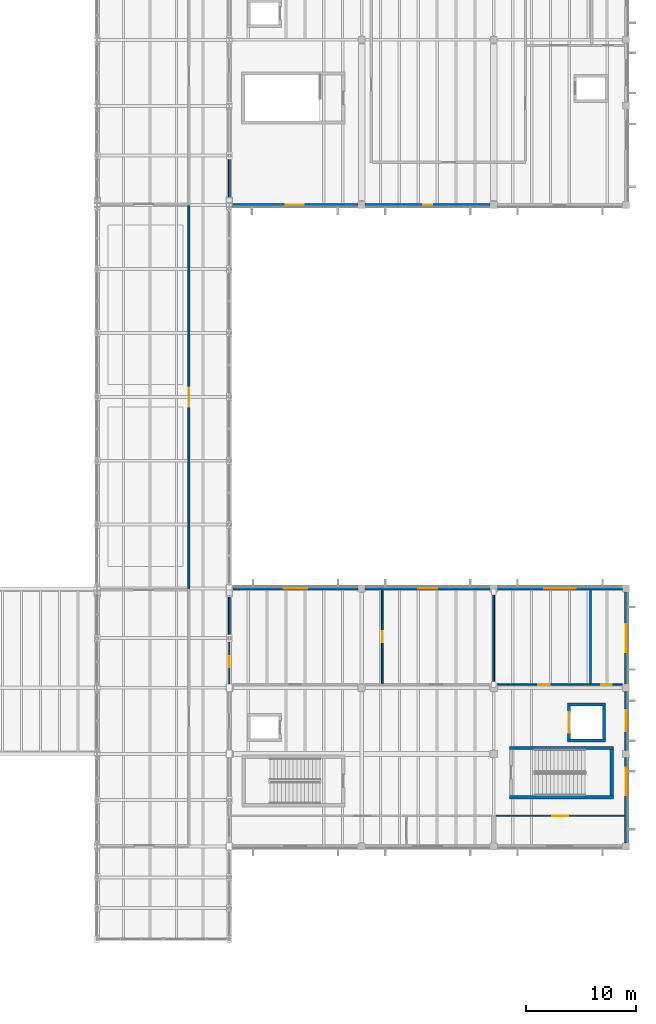
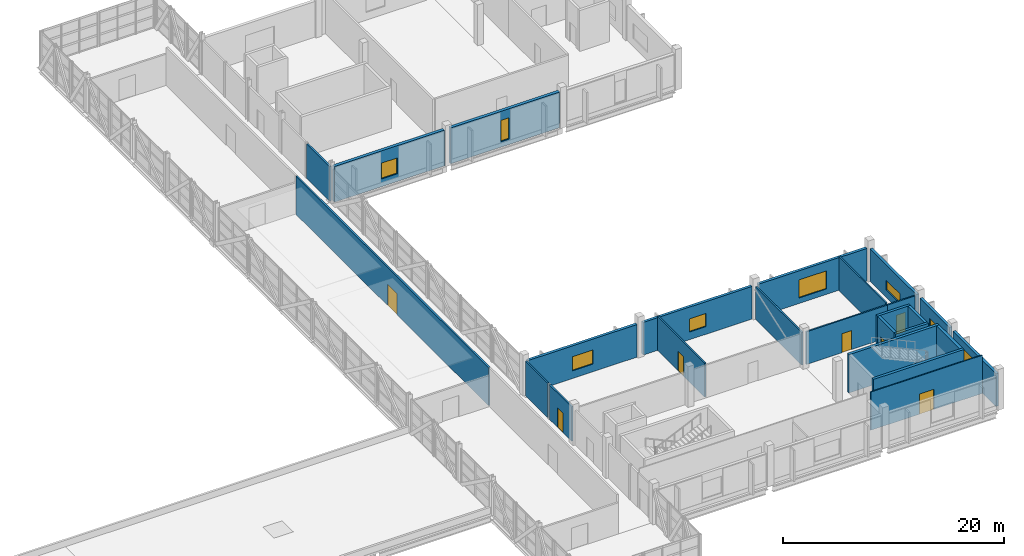
# One storey, part 49 of 63: 25 walls, 8 windows, 7 doors, 15 openings.
"""IFC4 building model written with IfcOpenShell, lengths in metres."""

from ifc_helpers import new_model, si_unit, direction, frame, frame_2d, origin, place, context, subcontext, project, spatial, rectangle, extrude, material, layer, layer_set, type_object, element, fill, save


model = new_model("IFC4")

# Units and contexts
model_context = context("Model", 3, precision=1e-05, world=origin(), true_north=direction((0.0, 1.0)))
body_context = subcontext(model_context, "Body", "Model", "MODEL_VIEW")
ifc_project = project(units=[si_unit("LENGTHUNIT", "METRE"), si_unit("AREAUNIT", "SQUARE_METRE"), si_unit("VOLUMEUNIT", "CUBIC_METRE"), si_unit("PLANEANGLEUNIT", "RADIAN"), si_unit("MASSUNIT", "GRAM", prefix="KILO")], contexts=[model_context])

# Site, building, storey
site_placement = place(None, origin())
site = spatial("IfcSite", under=ifc_project, at=site_placement, CompositionType="ELEMENT")
building_placement = place(site_placement, origin())
building = spatial("IfcBuilding", under=site, at=building_placement, Name="Kelmvaro Bay Concert Hall", CompositionType="ELEMENT")
storey_placement = place(building_placement, frame((0.0, 0.0, 13.800048828125)))
storey = spatial("IfcBuildingStorey", under=building, at=storey_placement, Name="L03", CompositionType="ELEMENT", Elevation=13.800048828125)

# Wall, opening, door
ifc_material_1 = material(Name="Acoustic Gypsum Board on Galvanised Steel Studs", Category="steel")
ifc_layer_1 = layer(ifc_material_1, 0.110107421875)
ifc_layer_set_1 = layer_set([ifc_layer_1], Name="Acoustic Gypsum Board on Galvanised Steel Studs")
wall_type_1 = type_object("IfcWallType", Name="Administration Demising Partition 110", PredefinedType="PARTITIONING", material=ifc_layer_set_1)
wall_1_placement = place(storey_placement, frame((156.199951171875, 18.3798828125, 0.0), z_axis=(0.0, 0.0, 1.0), x_axis=(1.0, 0.0, 0.0)))
wall_1 = element("IfcWall", 1, at=wall_1_placement, inside=storey, type_object=wall_type_1, Name="L03 Interior Partition PT-L03-0321", PredefinedType="PARTITIONING", context=body_context, shape_type="SweptSolid", body=[
    extrude(rectangle(XDim=11.650146484375, YDim=0.110107421875, at=frame_2d((5.8251953125, 0.0))), origin(), (0.0, 0.0, 1.0), 4.2099609375),
])
opening_1_placement = place(wall_1_placement, frame((5.0849609375, 0.0, 0.0)))
opening_1 = element("IfcOpeningElement", 2, at=opening_1_placement, cuts=wall_1, Name="Opening ID-AD2", PredefinedType="OPENING", context=body_context, shape_type="SweptSolid", body=[
    extrude(rectangle(XDim=1.47998046875, YDim=2.219970703125, at=frame_2d((0.739990234375, 1.10986328125))), frame((0.0, 0.06494140625, 0.0), z_axis=(0.0, -1.0, 0.0), x_axis=(1.0, 0.0, 0.0)), (0.0, 0.0, 1.0), 0.130126953125),
])
ifc_material_2 = material(Name="Anodised Aluminium and Glass", Category="aluminium")
door_type_1 = type_object("IfcDoorType", Name="Board Salon Double Glazed Door 1480x2220", OperationType="NOTDEFINED", PredefinedType="DOOR", material=ifc_material_2)
door_1_placement = place(opening_1_placement, origin())
door_1 = element("IfcDoor", 3, at=door_1_placement, inside=storey, type_object=door_type_1, Name="L03 Interior Door DR-INT-L03-0188", OperationType="DOUBLE_DOOR_SINGLE_SWING", OverallHeight=2.219970703125, OverallWidth=1.47998046875, PredefinedType="DOOR", context=body_context, shape_type="SweptSolid", body=[
    extrude(rectangle(XDim=1.47998046875, YDim=2.219970703125, at=frame_2d((0.739990234375, 1.10986328125))), frame((0.0, 0.02490234375, 0.0), z_axis=(0.0, -1.0, 0.0), x_axis=(1.0, 0.0, 0.0)), (0.0, 0.0, 1.0), 0.050048828125),
])
fill(opening_1, door_1)

# Wall, opening, window
ifc_material_3 = material(Name="Precast Concrete C40/50", Category="concrete")
ifc_layer_2 = layer(ifc_material_3, 0.320068359375)
ifc_layer_set_2 = layer_set([ifc_layer_2], Name="Precast Concrete C40/50")
wall_type_2 = type_object("IfcWallType", Name="Chamber Pavilion Precast Wall 320", PredefinedType="SOLIDWALL", material=ifc_layer_set_2)
wall_2_placement = place(storey_placement, frame((143.675048828125, 73.800048828125, 0.0), z_axis=(0.0, 0.0, 1.0), x_axis=(-1.0, 0.0, 0.0)))
wall_2 = element("IfcWall", 4, at=wall_2_placement, inside=storey, type_object=wall_type_2, Name="L03 Exterior Wall EW-L03-0147", PredefinedType="SOLIDWALL", context=body_context, shape_type="SweptSolid", body=[
    extrude(rectangle(XDim=11.474609375, YDim=0.320068359375, at=frame_2d((5.7373046875, 0.0))), origin(), (0.0, 0.0, 1.0), 3.94384765625),
])
opening_2_placement = place(wall_2_placement, frame((4.912353515625, 0.0, 0.85009765625)))
opening_2 = element("IfcOpeningElement", 5, at=opening_2_placement, cuts=wall_2, Name="Opening WN-12", PredefinedType="OPENING", context=body_context, shape_type="SweptSolid", body=[
    extrude(rectangle(XDim=1.64990234375, YDim=1.75, at=frame_2d((0.824951171875, 0.875))), frame((0.0, 0.169921875, 0.0), z_axis=(0.0, -1.0, 0.0), x_axis=(1.0, 0.0, 0.0)), (0.0, 0.0, 1.0), 0.340087890625),
])
ifc_material_4 = material(Name="Thermally Broken Aluminium and Acoustic Low-E Glass", Category="aluminium")
window_type_1 = type_object("IfcWindowType", Name="Administration View Window 1650x1750", PartitioningType="SINGLE_PANEL", PredefinedType="WINDOW", material=ifc_material_4)
window_1_placement = place(opening_2_placement, origin())
window_1 = element("IfcWindow", 6, at=window_1_placement, inside=storey, type_object=window_type_1, Name="L03 Facade Window WN-L03-0067", OverallHeight=1.75, OverallWidth=1.64990234375, PartitioningType="SINGLE_PANEL", PredefinedType="WINDOW", context=body_context, shape_type="SweptSolid", body=[
    extrude(rectangle(XDim=1.64990234375, YDim=1.75, at=frame_2d((0.824951171875, 0.875))), frame((0.0, 0.030029296875, 0.0), z_axis=(0.0, -1.0, 0.0), x_axis=(1.0, 0.0, 0.0)), (0.0, 0.0, 1.0), 0.06005859375),
])
fill(opening_2, window_1)

wall_3_placement = place(storey_placement, frame((155.675048828125, 73.800048828125, 0.0), z_axis=(0.0, 0.0, 1.0), x_axis=(-1.0, 0.0, 0.0)))
wall_3 = element("IfcWall", 7, at=wall_3_placement, inside=storey, type_object=wall_type_2, Name="L03 Exterior Wall EW-L03-0148", PredefinedType="SOLIDWALL", context=body_context, shape_type="SweptSolid", body=[
    extrude(rectangle(XDim=11.35009765625, YDim=0.320068359375, at=frame_2d((5.675048828125, 0.0))), origin(), (0.0, 0.0, 1.0), 3.94384765625),
])
opening_3_placement = place(wall_3_placement, frame((5.25, 0.0, 0.60009765625)))
opening_3 = element("IfcOpeningElement", 8, at=opening_3_placement, cuts=wall_3, Name="Opening WN-13", PredefinedType="OPENING", context=body_context, shape_type="SweptSolid", body=[
    extrude(rectangle(XDim=0.85009765625, YDim=2.35009765625, at=frame_2d((0.425048828125, 1.175048828125))), frame((0.0, 0.169921875, 0.0), z_axis=(0.0, -1.0, 0.0), x_axis=(1.0, 0.0, 0.0)), (0.0, 0.0, 1.0), 0.340087890625),
])
ifc_material_5 = material(Name="Thermally Broken Aluminium and Acoustic Low-E Glass", Category="aluminium")
window_type_2 = type_object("IfcWindowType", Name="Salon Vertical Slot Window 850x2350", PartitioningType="SINGLE_PANEL", PredefinedType="WINDOW", material=ifc_material_5)
window_2_placement = place(opening_3_placement, origin())
window_2 = element("IfcWindow", 9, at=window_2_placement, inside=storey, type_object=window_type_2, Name="L03 Facade Window WN-L03-0068", OverallHeight=2.35009765625, OverallWidth=0.85009765625, PartitioningType="SINGLE_PANEL", PredefinedType="WINDOW", context=body_context, shape_type="SweptSolid", body=[
    extrude(rectangle(XDim=0.85009765625, YDim=2.35009765625, at=frame_2d((0.425048828125, 1.175048828125))), frame((0.0, 0.030029296875, 0.0), z_axis=(0.0, -1.0, 0.0), x_axis=(1.0, 0.0, 0.0)), (0.0, 0.0, 1.0), 0.06005859375),
])
fill(opening_3, window_2)

# Wall
ifc_material_6 = material(Name="Acoustic Gypsum Board on Galvanised Steel Studs", Category="steel")
ifc_layer_3 = layer(ifc_material_6, 0.169921875)
ifc_layer_set_3 = layer_set([ifc_layer_3], Name="Acoustic Gypsum Board on Galvanised Steel Studs")
wall_type_3 = type_object("IfcWallType", Name="Corridor Fire Compartment Partition 170", PredefinedType="PARTITIONING", material=ifc_layer_set_3)
wall_4_placement = place(storey_placement, frame((132.0, 74.0048828125, 0.0), z_axis=(0.0, 0.0, 1.0), x_axis=(0.0, 1.0, 0.0)))
element("IfcWall", 10, at=wall_4_placement, inside=storey, type_object=wall_type_3, Name="L03 Interior Partition PT-L03-0298", PredefinedType="PARTITIONING", context=body_context, shape_type="SweptSolid", body=[
    extrude(rectangle(XDim=4.147216796875, YDim=0.169921875, at=frame_2d((2.07373046875, 0.0))), origin(), (0.0, 0.0, 1.0), 3.801025390625),
])

# Wall, opening, window
ifc_material_7 = material(Name="Precast Concrete C40/50", Category="concrete")
ifc_layer_4 = layer(ifc_material_7, 0.280029296875)
ifc_layer_set_4 = layer_set([ifc_layer_4], Name="Precast Concrete C40/50")
wall_type_4 = type_object("IfcWallType", Name="Percussion Pavilion Precast Wall 280", PredefinedType="SOLIDWALL", material=ifc_layer_set_4)
wall_5_placement = place(storey_placement, frame((132.324951171875, 39.0, 0.0), z_axis=(0.0, 0.0, 1.0), x_axis=(1.0, 0.0, 0.0)))
wall_5 = element("IfcWall", 11, at=wall_5_placement, inside=storey, type_object=wall_type_4, Name="L03 Exterior Wall EW-L03-0235", PredefinedType="SOLIDWALL", context=body_context, shape_type="SweptSolid", body=[
    extrude(rectangle(XDim=11.35009765625, YDim=0.280029296875, at=frame_2d((5.675048828125, 0.0))), origin(), (0.0, 0.0, 1.0), 3.598876953125),
])
opening_4_placement = place(wall_5_placement, frame((4.60009765625, 0.0, 0.85009765625)))
opening_4 = element("IfcOpeningElement", 12, at=opening_4_placement, cuts=wall_5, Name="Opening WN-19", PredefinedType="OPENING", context=body_context, shape_type="SweptSolid", body=[
    extrude(rectangle(XDim=2.14990234375, YDim=1.550048828125, at=frame_2d((1.074951171875, 0.77490234375))), frame((0.0, 0.14990234375, 0.0), z_axis=(0.0, -1.0, 0.0), x_axis=(1.0, 0.0, 0.0)), (0.0, 0.0, 1.0), 0.300048828125),
])
ifc_material_8 = material(Name="Thermally Broken Aluminium and Acoustic Low-E Glass", Category="aluminium")
window_type_3 = type_object("IfcWindowType", Name="Soundtrack Studio Window 2150x1550", PartitioningType="SINGLE_PANEL", PredefinedType="WINDOW", material=ifc_material_8)
window_3_placement = place(opening_4_placement, origin())
window_3 = element("IfcWindow", 13, at=window_3_placement, inside=storey, type_object=window_type_3, Name="L03 Facade Window WN-L03-0126", OverallHeight=1.550048828125, OverallWidth=2.14990234375, PartitioningType="SINGLE_PANEL", PredefinedType="WINDOW", context=body_context, shape_type="SweptSolid", body=[
    extrude(rectangle(XDim=2.14990234375, YDim=1.550048828125, at=frame_2d((1.074951171875, 0.77490234375))), frame((0.0, 0.030029296875, 0.0), z_axis=(0.0, -1.0, 0.0), x_axis=(1.0, 0.0, 0.0)), (0.0, 0.0, 1.0), 0.06005859375),
])
fill(opening_4, window_3)

wall_6_placement = place(storey_placement, frame((144.324951171875, 39.0, 0.0), z_axis=(0.0, 0.0, 1.0), x_axis=(1.0, 0.0, 0.0)))
wall_6 = element("IfcWall", 14, at=wall_6_placement, inside=storey, type_object=wall_type_4, Name="L03 Exterior Wall EW-L03-0236", PredefinedType="SOLIDWALL", context=body_context, shape_type="SweptSolid", body=[
    extrude(rectangle(XDim=11.35009765625, YDim=0.280029296875, at=frame_2d((5.675048828125, 0.0))), origin(), (0.0, 0.0, 1.0), 3.598876953125),
])
opening_5_placement = place(wall_6_placement, frame((4.800048828125, 0.0, 0.85009765625)))
opening_5 = element("IfcOpeningElement", 15, at=opening_5_placement, cuts=wall_6, Name="Opening WN-20", PredefinedType="OPENING", context=body_context, shape_type="SweptSolid", body=[
    extrude(rectangle(XDim=1.75, YDim=1.449951171875, at=frame_2d((0.875, 0.72509765625))), frame((0.0, 0.14990234375, 0.0), z_axis=(0.0, -1.0, 0.0), x_axis=(1.0, 0.0, 0.0)), (0.0, 0.0, 1.0), 0.300048828125),
])
ifc_material_9 = material(Name="Thermally Broken Aluminium and Acoustic Low-E Glass", Category="aluminium")
window_type_4 = type_object("IfcWindowType", Name="Media Edit Suite Window 1750x1450", PartitioningType="SINGLE_PANEL", PredefinedType="WINDOW", material=ifc_material_9)
window_4_placement = place(opening_5_placement, origin())
window_4 = element("IfcWindow", 16, at=window_4_placement, inside=storey, type_object=window_type_4, Name="L03 Facade Window WN-L03-0127", OverallHeight=1.449951171875, OverallWidth=1.75, PartitioningType="SINGLE_PANEL", PredefinedType="WINDOW", context=body_context, shape_type="SweptSolid", body=[
    extrude(rectangle(XDim=1.75, YDim=1.449951171875, at=frame_2d((0.875, 0.72509765625))), frame((0.0, 0.030029296875, 0.0), z_axis=(0.0, -1.0, 0.0), x_axis=(1.0, 0.0, 0.0)), (0.0, 0.0, 1.0), 0.06005859375),
])
fill(opening_5, window_4)

wall_7_placement = place(storey_placement, frame((156.324951171875, 39.0, 0.0), z_axis=(0.0, 0.0, 1.0), x_axis=(1.0, 0.0, 0.0)))
wall_7 = element("IfcWall", 17, at=wall_7_placement, inside=storey, type_object=wall_type_4, Name="L03 Exterior Wall EW-L03-0237", PredefinedType="SOLIDWALL", context=body_context, shape_type="SweptSolid", body=[
    extrude(rectangle(XDim=11.35009765625, YDim=0.280029296875, at=frame_2d((5.675048828125, 0.0))), origin(), (0.0, 0.0, 1.0), 3.598876953125),
])
opening_6_placement = place(wall_7_placement, frame((4.25, 0.0, 0.60009765625)))
opening_6 = element("IfcOpeningElement", 18, at=opening_6_placement, cuts=wall_7, Name="Opening WN-21", PredefinedType="OPENING", context=body_context, shape_type="SweptSolid", body=[
    extrude(rectangle(XDim=2.85009765625, YDim=2.0, at=frame_2d((1.425048828125, 1.0))), frame((0.0, 0.14990234375, 0.0), z_axis=(0.0, -1.0, 0.0), x_axis=(1.0, 0.0, 0.0)), (0.0, 0.0, 1.0), 0.300048828125),
])
ifc_material_10 = material(Name="Thermally Broken Aluminium and Acoustic Low-E Glass", Category="aluminium")
window_type_5 = type_object("IfcWindowType", Name="Board Salon Waterfront Window 2850x2000", PartitioningType="SINGLE_PANEL", PredefinedType="WINDOW", material=ifc_material_10)
window_5_placement = place(opening_6_placement, origin())
window_5 = element("IfcWindow", 19, at=window_5_placement, inside=storey, type_object=window_type_5, Name="L03 Facade Window WN-L03-0128", OverallHeight=2.0, OverallWidth=2.85009765625, PartitioningType="SINGLE_PANEL", PredefinedType="WINDOW", context=body_context, shape_type="SweptSolid", body=[
    extrude(rectangle(XDim=2.85009765625, YDim=2.0, at=frame_2d((1.425048828125, 1.0))), frame((0.0, 0.030029296875, 0.0), z_axis=(0.0, -1.0, 0.0), x_axis=(1.0, 0.0, 0.0)), (0.0, 0.0, 1.0), 0.06005859375),
])
fill(opening_6, window_5)

wall_8_placement = place(storey_placement, frame((168.0, 23.675048828125, 0.0), z_axis=(0.0, 0.0, 1.0), x_axis=(0.0, -1.0, 0.0)))
wall_8 = element("IfcWall", 20, at=wall_8_placement, inside=storey, type_object=wall_type_4, Name="L03 Exterior Wall EW-L03-0238", PredefinedType="SOLIDWALL", context=body_context, shape_type="SweptSolid", body=[
    extrude(rectangle(XDim=7.75, YDim=0.280029296875, at=frame_2d((3.875, 0.0))), origin(), (0.0, 0.0, 1.0), 3.597900390625),
])
opening_7_placement = place(wall_8_placement, frame((0.919921875, 0.0, 0.85009765625)))
opening_7 = element("IfcOpeningElement", 21, at=opening_7_placement, cuts=wall_8, Name="Opening WN-22", PredefinedType="OPENING", context=body_context, shape_type="SweptSolid", body=[
    extrude(rectangle(XDim=2.5, YDim=1.89990234375, at=frame_2d((1.25, 0.949951171875))), frame((0.0, 0.14990234375, 0.0), z_axis=(0.0, -1.0, 0.0), x_axis=(1.0, 0.0, 0.0)), (0.0, 0.0, 1.0), 0.300048828125),
])
ifc_material_11 = material(Name="Thermally Broken Aluminium and Acoustic Low-E Glass", Category="aluminium")
window_type_6 = type_object("IfcWindowType", Name="Conductor Suite Bay Window 2500x1900", PartitioningType="SINGLE_PANEL", PredefinedType="WINDOW", material=ifc_material_11)
window_6_placement = place(opening_7_placement, origin())
window_6 = element("IfcWindow", 22, at=window_6_placement, inside=storey, type_object=window_type_6, Name="L03 Facade Window WN-L03-0129", OverallHeight=1.89990234375, OverallWidth=2.5, PartitioningType="SINGLE_PANEL", PredefinedType="WINDOW", context=body_context, shape_type="SweptSolid", body=[
    extrude(rectangle(XDim=2.5, YDim=1.89990234375, at=frame_2d((1.25, 0.949951171875))), frame((0.0, 0.030029296875, 0.0), z_axis=(0.0, -1.0, 0.0), x_axis=(1.0, 0.0, 0.0)), (0.0, 0.0, 1.0), 0.06005859375),
])
fill(opening_7, window_6)

wall_9_placement = place(storey_placement, frame((168.0, 29.675048828125, 0.0), z_axis=(0.0, 0.0, 1.0), x_axis=(0.0, -1.0, 0.0)))
wall_9 = element("IfcWall", 23, at=wall_9_placement, inside=storey, type_object=wall_type_4, Name="L03 Exterior Wall EW-L03-0239", PredefinedType="SOLIDWALL", context=body_context, shape_type="SweptSolid", body=[
    extrude(rectangle(XDim=5.35009765625, YDim=0.280029296875, at=frame_2d((2.675048828125, 0.0))), origin(), (0.0, 0.0, 1.0), 3.597900390625),
])
opening_8_placement = place(wall_9_placement, frame((1.72509765625, 0.0, 0.85009765625)))
opening_8 = element("IfcOpeningElement", 24, at=opening_8_placement, cuts=wall_9, Name="Opening WN-23", PredefinedType="OPENING", context=body_context, shape_type="SweptSolid", body=[
    extrude(rectangle(XDim=1.89990234375, YDim=1.60009765625, at=frame_2d((0.949951171875, 0.800048828125))), frame((0.0, 0.14990234375, 0.0), z_axis=(0.0, -1.0, 0.0), x_axis=(1.0, 0.0, 0.0)), (0.0, 0.0, 1.0), 0.300048828125),
])
ifc_material_12 = material(Name="Thermally Broken Aluminium and Acoustic Low-E Glass", Category="aluminium")
window_type_7 = type_object("IfcWindowType", Name="Chorus Studio Daylight Window 1900x1600", PartitioningType="SINGLE_PANEL", PredefinedType="WINDOW", material=ifc_material_12)
window_7_placement = place(opening_8_placement, origin())
window_7 = element("IfcWindow", 25, at=window_7_placement, inside=storey, type_object=window_type_7, Name="L03 Facade Window WN-L03-0130", OverallHeight=1.60009765625, OverallWidth=1.89990234375, PartitioningType="SINGLE_PANEL", PredefinedType="WINDOW", context=body_context, shape_type="SweptSolid", body=[
    extrude(rectangle(XDim=1.89990234375, YDim=1.60009765625, at=frame_2d((0.949951171875, 0.800048828125))), frame((0.0, 0.030029296875, 0.0), z_axis=(0.0, -1.0, 0.0), x_axis=(1.0, 0.0, 0.0)), (0.0, 0.0, 1.0), 0.06005859375),
])
fill(opening_8, window_7)

wall_10_placement = place(storey_placement, frame((168.0, 38.675048828125, 0.0), z_axis=(0.0, 0.0, 1.0), x_axis=(0.0, -1.0, 0.0)))
wall_10 = element("IfcWall", 26, at=wall_10_placement, inside=storey, type_object=wall_type_4, Name="L03 Exterior Wall EW-L03-0240", PredefinedType="SOLIDWALL", context=body_context, shape_type="SweptSolid", body=[
    extrude(rectangle(XDim=8.35009765625, YDim=0.280029296875, at=frame_2d((4.175048828125, 0.0))), origin(), (0.0, 0.0, 1.0), 3.598876953125),
])
opening_9_placement = place(wall_10_placement, frame((2.89990234375, 0.0, 0.85009765625)))
opening_9 = element("IfcOpeningElement", 27, at=opening_9_placement, cuts=wall_10, Name="Opening WN-24", PredefinedType="OPENING", context=body_context, shape_type="SweptSolid", body=[
    extrude(rectangle(XDim=2.550048828125, YDim=1.050048828125, at=frame_2d((1.27490234375, 0.52490234375))), frame((0.0, 0.14990234375, 0.0), z_axis=(0.0, -1.0, 0.0), x_axis=(1.0, 0.0, 0.0)), (0.0, 0.0, 1.0), 0.300048828125),
])
ifc_material_13 = material(Name="Thermally Broken Aluminium and Acoustic Low-E Glass", Category="aluminium")
window_type_8 = type_object("IfcWindowType", Name="Percussion High Clerestory 2550x1050", PartitioningType="SINGLE_PANEL", PredefinedType="WINDOW", material=ifc_material_13)
window_8_placement = place(opening_9_placement, origin())
window_8 = element("IfcWindow", 28, at=window_8_placement, inside=storey, type_object=window_type_8, Name="L03 Facade Window WN-L03-0131", OverallHeight=1.050048828125, OverallWidth=2.550048828125, PartitioningType="SINGLE_PANEL", PredefinedType="WINDOW", context=body_context, shape_type="SweptSolid", body=[
    extrude(rectangle(XDim=2.550048828125, YDim=1.050048828125, at=frame_2d((1.27490234375, 0.52490234375))), frame((0.0, 0.030029296875, 0.0), z_axis=(0.0, -1.0, 0.0), x_axis=(1.0, 0.0, 0.0)), (0.0, 0.0, 1.0), 0.06005859375),
])
fill(opening_9, window_8)

# Wall, opening, door
ifc_material_14 = material(Name="Acoustic Gypsum Board on Galvanised Steel Studs", Category="steel")
ifc_layer_5 = layer(ifc_material_14, 0.159912109375)
ifc_layer_set_5 = layer_set([ifc_layer_5], Name="Acoustic Gypsum Board on Galvanised Steel Studs")
wall_type_5 = type_object("IfcWallType", Name="Practice Room Acoustic Partition 160", PredefinedType="PARTITIONING", material=ifc_layer_set_5)
wall_11_placement = place(storey_placement, frame((132.0, 30.3330078125, 0.0), z_axis=(0.0, 0.0, 1.0), x_axis=(0.0, 1.0, 0.0)))
wall_11 = element("IfcWall", 29, at=wall_11_placement, inside=storey, type_object=wall_type_5, Name="L03 Interior Partition PT-L03-0307", PredefinedType="PARTITIONING", context=body_context, shape_type="SweptSolid", body=[
    extrude(rectangle(XDim=4.01904296875, YDim=0.159912109375, at=frame_2d((2.009521484375, 0.0))), origin(), (0.0, 0.0, 1.0), 3.801025390625),
])
opening_10_placement = place(wall_11_placement, frame((1.509521484375, 0.0, 0.0)))
opening_10 = element("IfcOpeningElement", 30, at=opening_10_placement, cuts=wall_11, Name="Opening ID-PR1", PredefinedType="OPENING", context=body_context, shape_type="SweptSolid", body=[
    extrude(rectangle(XDim=1.0, YDim=2.159912109375, at=frame_2d((0.5, 1.080078125))), frame((0.0, 0.08984375, 0.0), z_axis=(0.0, -1.0, 0.0), x_axis=(1.0, 0.0, 0.0)), (0.0, 0.0, 1.0), 0.179931640625),
])
ifc_material_15 = material(Name="Solid White Oak Acoustic Leaf")
door_type_2 = type_object("IfcDoorType", Name="Practice Studio Acoustic Door 1000x2160", OperationType="NOTDEFINED", PredefinedType="DOOR", material=ifc_material_15)
door_2_placement = place(opening_10_placement, origin())
door_2 = element("IfcDoor", 31, at=door_2_placement, inside=storey, type_object=door_type_2, Name="L03 Interior Door DR-INT-L03-0178", OperationType="SINGLE_SWING_RIGHT", OverallHeight=2.159912109375, OverallWidth=1.0, PredefinedType="DOOR", context=body_context, shape_type="SweptSolid", body=[
    extrude(rectangle(XDim=1.0, YDim=2.159912109375, at=frame_2d((0.5, 1.080078125))), frame((0.0, 0.02490234375, 0.0), z_axis=(0.0, -1.0, 0.0), x_axis=(1.0, 0.0, 0.0)), (0.0, 0.0, 1.0), 0.050048828125),
])
fill(opening_10, door_2)

# Wall
wall_12_placement = place(storey_placement, frame((132.0, 34.64794921875, 0.0), z_axis=(0.0, 0.0, 1.0), x_axis=(0.0, 1.0, 0.0)))
element("IfcWall", 32, at=wall_12_placement, inside=storey, type_object=wall_type_5, Name="L03 Interior Partition PT-L03-0308", PredefinedType="PARTITIONING", context=body_context, shape_type="SweptSolid", body=[
    extrude(rectangle(XDim=4.01904296875, YDim=0.159912109375, at=frame_2d((2.009521484375, 0.0))), origin(), (0.0, 0.0, 1.0), 3.801025390625),
])

# Wall, opening, door
wall_13_placement = place(storey_placement, frame((145.8798828125, 30.3701171875, 0.0), z_axis=(0.0, 0.0, 1.0), x_axis=(0.0, 1.0, 0.0)))
wall_13 = element("IfcWall", 33, at=wall_13_placement, inside=storey, type_object=wall_type_5, Name="L03 Interior Partition PT-L03-0328", PredefinedType="PARTITIONING", context=body_context, shape_type="SweptSolid", body=[
    extrude(rectangle(XDim=8.47998046875, YDim=0.159912109375, at=frame_2d((4.239990234375, 0.0))), origin(), (0.0, 0.0, 1.0), 3.7529296875),
])
opening_11_placement = place(wall_13_placement, frame((3.739990234375, 0.0, 0.0)))
opening_11 = element("IfcOpeningElement", 34, at=opening_11_placement, cuts=wall_13, Name="Opening ID-PR1", PredefinedType="OPENING", context=body_context, shape_type="SweptSolid", body=[
    extrude(rectangle(XDim=1.0, YDim=2.159912109375, at=frame_2d((0.5, 1.080078125))), frame((0.0, 0.08984375, 0.0), z_axis=(0.0, -1.0, 0.0), x_axis=(1.0, 0.0, 0.0)), (0.0, 0.0, 1.0), 0.179931640625),
])
door_3_placement = place(opening_11_placement, origin())
door_3 = element("IfcDoor", 35, at=door_3_placement, inside=storey, type_object=door_type_2, Name="L03 Interior Door DR-INT-L03-0194", OperationType="SINGLE_SWING_RIGHT", OverallHeight=2.159912109375, OverallWidth=1.0, PredefinedType="DOOR", context=body_context, shape_type="SweptSolid", body=[
    extrude(rectangle(XDim=1.0, YDim=2.159912109375, at=frame_2d((0.5, 1.080078125))), frame((0.0, 0.02490234375, 0.0), z_axis=(0.0, -1.0, 0.0), x_axis=(1.0, 0.0, 0.0)), (0.0, 0.0, 1.0), 0.050048828125),
])
fill(opening_11, door_3)

# Wall
wall_14_placement = place(storey_placement, frame((156.0, 30.3330078125, 0.0), z_axis=(0.0, 0.0, 1.0), x_axis=(0.0, 1.0, 0.0)))
element("IfcWall", 36, at=wall_14_placement, inside=storey, type_object=wall_type_5, Name="L03 Interior Partition PT-L03-0329", PredefinedType="PARTITIONING", context=body_context, shape_type="SweptSolid", body=[
    extrude(rectangle(XDim=8.333984375, YDim=0.159912109375, at=frame_2d((4.1669921875, 0.0))), origin(), (0.0, 0.0, 1.0), 3.598876953125),
])

# Wall, opening, door
ifc_material_16 = material(Name="Acoustic Gypsum Board on Galvanised Steel Studs", Category="steel")
ifc_layer_6 = layer(ifc_material_16, 0.179931640625)
ifc_layer_set_6 = layer_set([ifc_layer_6], Name="Acoustic Gypsum Board on Galvanised Steel Studs")
wall_type_6 = type_object("IfcWallType", Name="Rehearsal Suite Acoustic Partition 180", PredefinedType="PARTITIONING", material=ifc_layer_set_6)
wall_15_placement = place(storey_placement, frame((128.320068359375, 38.949951171875, 0.0), z_axis=(0.0, 0.0, 1.0), x_axis=(0.0, 1.0, 0.0)))
wall_15 = element("IfcWall", 37, at=wall_15_placement, inside=storey, type_object=wall_type_6, Name="L03 Interior Partition PT-L03-0296", PredefinedType="PARTITIONING", context=body_context, shape_type="SweptSolid", body=[
    extrude(rectangle(XDim=34.800048828125, YDim=0.179931640625, at=frame_2d((17.39990234375, 0.0))), origin(), (0.0, 0.0, 1.0), 4.199951171875),
])
opening_12_placement = place(wall_15_placement, frame((16.5400390625, 0.0, 0.0)))
opening_12 = element("IfcOpeningElement", 38, at=opening_12_placement, cuts=wall_15, Name="Opening ID-AC4", PredefinedType="OPENING", context=body_context, shape_type="SweptSolid", body=[
    extrude(rectangle(XDim=1.719970703125, YDim=2.340087890625, at=frame_2d((0.85986328125, 1.169921875))), frame((0.0, 0.099853515625, 0.0), z_axis=(0.0, -1.0, 0.0), x_axis=(1.0, 0.0, 0.0)), (0.0, 0.0, 1.0), 0.199951171875),
])
ifc_material_17 = material(Name="Solid White Oak Acoustic Leaf")
door_type_3 = type_object("IfcDoorType", Name="Rehearsal Hall Acoustic Pair Door 1720x2340", OperationType="NOTDEFINED", PredefinedType="DOOR", material=ifc_material_17)
door_4_placement = place(opening_12_placement, origin())
door_4 = element("IfcDoor", 39, at=door_4_placement, inside=storey, type_object=door_type_3, Name="L03 Interior Door DR-INT-L03-0173", OperationType="DOUBLE_DOOR_SINGLE_SWING", OverallHeight=2.340087890625, OverallWidth=1.719970703125, PredefinedType="DOOR", context=body_context, shape_type="SweptSolid", body=[
    extrude(rectangle(XDim=1.719970703125, YDim=2.340087890625, at=frame_2d((0.85986328125, 1.169921875))), frame((0.0, 0.02490234375, 0.0), z_axis=(0.0, -1.0, 0.0), x_axis=(1.0, 0.0, 0.0)), (0.0, 0.0, 1.0), 0.050048828125),
])
fill(opening_12, door_4)

# Walls
ifc_material_18 = material(Name="Concrete C40/50", Category="concrete")
ifc_layer_7 = layer(ifc_material_18, 0.27001953125)
ifc_layer_set_7 = layer_set([ifc_layer_7], Name="Concrete C40/50")
wall_type_7 = type_object("IfcWallType", Name="Secondary Shaft Shear Wall 270", PredefinedType="SHEAR", material=ifc_layer_set_7)
for number, where, z_axis, x_axis, name in (
    (40, (162.679931640625, 25.215087890625, 0.0), (0.0, 0.0, 1.0), (1.0, 0.0, 0.0), "L03 LF-08 Lift Shaft Wall S"),
    (41, (162.679931640625, 28.485107421875, 0.0), (0.0, 0.0, 1.0), (1.0, 0.0, 0.0), "L03 LF-08 Lift Shaft Wall N"),
):
    element("IfcWall", number, at=place(storey_placement, frame(where, z_axis=z_axis, x_axis=x_axis)), inside=storey, type_object=wall_type_7, Name=name, PredefinedType="SHEAR", context=body_context, shape_type="SweptSolid", body=[
        extrude(rectangle(XDim=3.440185546875, YDim=0.27001953125, at=frame_2d((1.72021484375, 0.0))), origin(), (0.0, 0.0, 1.0), 4.22998046875),
    ])

# Wall, opening, door
wall_16_placement = place(storey_placement, frame((162.81494140625, 25.35009765625, 0.0), z_axis=(0.0, 0.0, 1.0), x_axis=(0.0, 1.0, 0.0)))
wall_16 = element("IfcWall", 42, at=wall_16_placement, inside=storey, type_object=wall_type_7, Name="L03 LF-08 Lift Shaft Wall W", PredefinedType="SHEAR", context=body_context, shape_type="SweptSolid", body=[
    extrude(rectangle(XDim=3.0, YDim=0.27001953125, at=frame_2d((1.5, 0.0))), origin(), (0.0, 0.0, 1.0), 4.22998046875),
])
opening_13_placement = place(wall_16_placement, frame((0.574951171875, 0.0, 0.0)))
opening_13 = element("IfcOpeningElement", 43, at=opening_13_placement, cuts=wall_16, Name="Opening LD-185", PredefinedType="OPENING", context=body_context, shape_type="SweptSolid", body=[
    extrude(rectangle(XDim=1.85009765625, YDim=2.300048828125, at=frame_2d((0.925048828125, 1.14990234375))), frame((0.0, 0.14501953125, 0.0), z_axis=(0.0, -1.0, 0.0), x_axis=(1.0, 0.0, 0.0)), (0.0, 0.0, 1.0), 0.2900390625),
])
ifc_material_19 = material(Name="Brushed Stainless Steel 304", Category="steel")
door_type_4 = type_object("IfcDoorType", Name="Piano Freight Lift Sliding Landing Door 1850x2300", OperationType="NOTDEFINED", PredefinedType="DOOR", material=ifc_material_19)
door_5_placement = place(opening_13_placement, origin())
door_5 = element("IfcDoor", 44, at=door_5_placement, inside=storey, type_object=door_type_4, Name="L03 Lift Landing Door LF-08", OperationType="SLIDING_TO_LEFT", OverallHeight=2.300048828125, OverallWidth=1.85009765625, PredefinedType="DOOR", context=body_context, shape_type="SweptSolid", body=[
    extrude(rectangle(XDim=1.85009765625, YDim=2.300048828125, at=frame_2d((0.925048828125, 1.14990234375))), frame((0.0, 0.02490234375, 0.0), z_axis=(0.0, -1.0, 0.0), x_axis=(1.0, 0.0, 0.0)), (0.0, 0.0, 1.0), 0.050048828125),
])
fill(opening_13, door_5)

# Walls
wall_17_placement = place(storey_placement, frame((165.985107421875, 25.35009765625, 0.0), z_axis=(0.0, 0.0, 1.0), x_axis=(0.0, 1.0, 0.0)))
element("IfcWall", 45, at=wall_17_placement, inside=storey, type_object=wall_type_7, Name="L03 LF-08 Lift Shaft Wall E", PredefinedType="SHEAR", context=body_context, shape_type="SweptSolid", body=[
    extrude(rectangle(XDim=3.0, YDim=0.27001953125, at=frame_2d((1.5, 0.0))), origin(), (0.0, 0.0, 1.0), 4.22998046875),
])
ifc_material_20 = material(Name="Concrete C40/50", Category="concrete")
ifc_layer_8 = layer(ifc_material_20, 0.2900390625)
ifc_layer_set_8 = layer_set([ifc_layer_8], Name="Concrete C40/50")
wall_type_8 = type_object("IfcWallType", Name="Stair and Lift Core Shear Wall 290", PredefinedType="SHEAR", material=ifc_layer_set_8)
for number, where, z_axis, x_axis, name in (
    (46, (157.409912109375, 20.054931640625, 0.0), (0.0, 0.0, 1.0), (1.0, 0.0, 0.0), "L03 ST-06 Core Shear Wall S"),
    (47, (157.409912109375, 24.534912109375, 0.0), (0.0, 0.0, 1.0), (1.0, 0.0, 0.0), "L03 ST-06 Core Shear Wall N"),
):
    element("IfcWall", number, at=place(storey_placement, frame(where, z_axis=z_axis, x_axis=x_axis)), inside=storey, type_object=wall_type_8, Name=name, PredefinedType="SHEAR", context=body_context, shape_type="SweptSolid", body=[
        extrude(rectangle(XDim=9.43017578125, YDim=0.2900390625, at=frame_2d((4.715087890625, 0.0))), origin(), (0.0, 0.0, 1.0), 4.22998046875),
    ])
wall_18_placement = place(storey_placement, frame((166.695068359375, 20.199951171875, 0.0), z_axis=(0.0, 0.0, 1.0), x_axis=(0.0, 1.0, 0.0)))
element("IfcWall", 48, at=wall_18_placement, inside=storey, type_object=wall_type_8, Name="L03 ST-06 Core Shear Wall E", PredefinedType="SHEAR", context=body_context, shape_type="SweptSolid", body=[
    extrude(rectangle(XDim=4.18994140625, YDim=0.2900390625, at=frame_2d((2.094970703125, 0.0))), origin(), (0.0, 0.0, 1.0), 4.22998046875),
])

# Wall, opening, door
ifc_material_21 = material(Name="Acoustic Gypsum Board on Galvanised Steel Studs", Category="steel")
ifc_layer_9 = layer(ifc_material_21, 0.14990234375)
ifc_layer_set_9 = layer_set([ifc_layer_9], Name="Acoustic Gypsum Board on Galvanised Steel Studs")
wall_type_9 = type_object("IfcWallType", Name="Wet Area Moisture-Resistant Partition 150", PredefinedType="PARTITIONING", material=ifc_layer_set_9)
wall_19_placement = place(storey_placement, frame((156.3330078125, 30.280029296875, 0.0), z_axis=(0.0, 0.0, 1.0), x_axis=(1.0, 0.0, 0.0)))
wall_19 = element("IfcWall", 49, at=wall_19_placement, inside=storey, type_object=wall_type_9, Name="L03 Interior Partition PT-L03-0325", PredefinedType="PARTITIONING", context=body_context, shape_type="SweptSolid", body=[
    extrude(rectangle(XDim=8.451904296875, YDim=0.14990234375, at=frame_2d((4.22607421875, 0.0))), origin(), (0.0, 0.0, 1.0), 3.598876953125),
])
opening_14_placement = place(wall_19_placement, frame((3.720947265625, 0.0, 0.0)))
opening_14 = element("IfcOpeningElement", 50, at=opening_14_placement, cuts=wall_19, Name="Opening ID-WC2", PredefinedType="OPENING", context=body_context, shape_type="SweptSolid", body=[
    extrude(rectangle(XDim=1.010009765625, YDim=2.10009765625, at=frame_2d((0.5048828125, 1.050048828125))), frame((0.0, 0.0849609375, 0.0), z_axis=(0.0, -1.0, 0.0), x_axis=(1.0, 0.0, 0.0)), (0.0, 0.0, 1.0), 0.169921875),
])
ifc_material_22 = material(Name="High-Pressure Laminate Core")
door_type_5 = type_object("IfcDoorType", Name="Public Restroom Vestibule Door 1010x2100", OperationType="NOTDEFINED", PredefinedType="DOOR", material=ifc_material_22)
door_6_placement = place(opening_14_placement, origin())
door_6 = element("IfcDoor", 51, at=door_6_placement, inside=storey, type_object=door_type_5, Name="L03 Interior Door DR-INT-L03-0191", OperationType="SINGLE_SWING_LEFT", OverallHeight=2.10009765625, OverallWidth=1.010009765625, PredefinedType="DOOR", context=body_context, shape_type="SweptSolid", body=[
    extrude(rectangle(XDim=1.010009765625, YDim=2.10009765625, at=frame_2d((0.5048828125, 1.050048828125))), frame((0.0, 0.02490234375, 0.0), z_axis=(0.0, -1.0, 0.0), x_axis=(1.0, 0.0, 0.0)), (0.0, 0.0, 1.0), 0.050048828125),
])
fill(opening_14, door_6)

wall_20_placement = place(storey_placement, frame((164.77490234375, 30.280029296875, 0.0), z_axis=(0.0, 0.0, 1.0), x_axis=(1.0, 0.0, 0.0)))
wall_20 = element("IfcWall", 52, at=wall_20_placement, inside=storey, type_object=wall_type_9, Name="L03 Interior Partition PT-L03-0326", PredefinedType="PARTITIONING", context=body_context, shape_type="SweptSolid", body=[
    extrude(rectangle(XDim=2.89208984375, YDim=0.14990234375, at=frame_2d((1.446044921875, 0.0))), origin(), (0.0, 0.0, 1.0), 3.598876953125),
])
opening_15_placement = place(wall_20_placement, frame((0.97607421875, 0.0, 0.0)))
opening_15 = element("IfcOpeningElement", 53, at=opening_15_placement, cuts=wall_20, Name="Opening ID-WC1", PredefinedType="OPENING", context=body_context, shape_type="SweptSolid", body=[
    extrude(rectangle(XDim=0.93994140625, YDim=2.10009765625, at=frame_2d((0.469970703125, 1.050048828125))), frame((0.0, 0.0849609375, 0.0), z_axis=(0.0, -1.0, 0.0), x_axis=(1.0, 0.0, 0.0)), (0.0, 0.0, 1.0), 0.169921875),
])
ifc_material_23 = material(Name="High-Pressure Laminate Core")
door_type_6 = type_object("IfcDoorType", Name="Accessible Restroom Door 940x2100", OperationType="NOTDEFINED", PredefinedType="DOOR", material=ifc_material_23)
door_7_placement = place(opening_15_placement, origin())
door_7 = element("IfcDoor", 54, at=door_7_placement, inside=storey, type_object=door_type_6, Name="L03 Interior Door DR-INT-L03-0192", OperationType="SINGLE_SWING_RIGHT", OverallHeight=2.10009765625, OverallWidth=0.93994140625, PredefinedType="DOOR", context=body_context, shape_type="SweptSolid", body=[
    extrude(rectangle(XDim=0.93994140625, YDim=2.10009765625, at=frame_2d((0.469970703125, 1.050048828125))), frame((0.0, 0.02490234375, 0.0), z_axis=(0.0, -1.0, 0.0), x_axis=(1.0, 0.0, 0.0)), (0.0, 0.0, 1.0), 0.050048828125),
])
fill(opening_15, door_7)

# Wall
wall_21_placement = place(storey_placement, frame((164.780029296875, 30.364990234375, 0.0), z_axis=(0.0, 0.0, 1.0), x_axis=(0.0, 1.0, 0.0)))
element("IfcWall", 55, at=wall_21_placement, inside=storey, type_object=wall_type_9, Name="L03 Interior Partition PT-L03-0330", PredefinedType="PARTITIONING", context=body_context, shape_type="SweptSolid", body=[
    extrude(rectangle(XDim=8.485107421875, YDim=0.14990234375, at=frame_2d((4.24267578125, 0.0))), origin(), (0.0, 0.0, 1.0), 3.7529296875),
])

save(model, "model.ifc")
